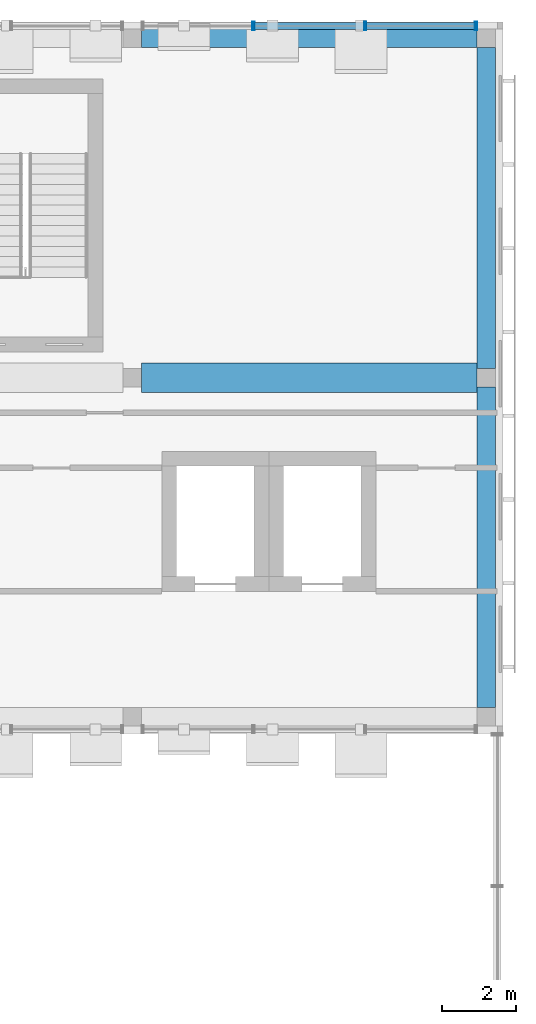
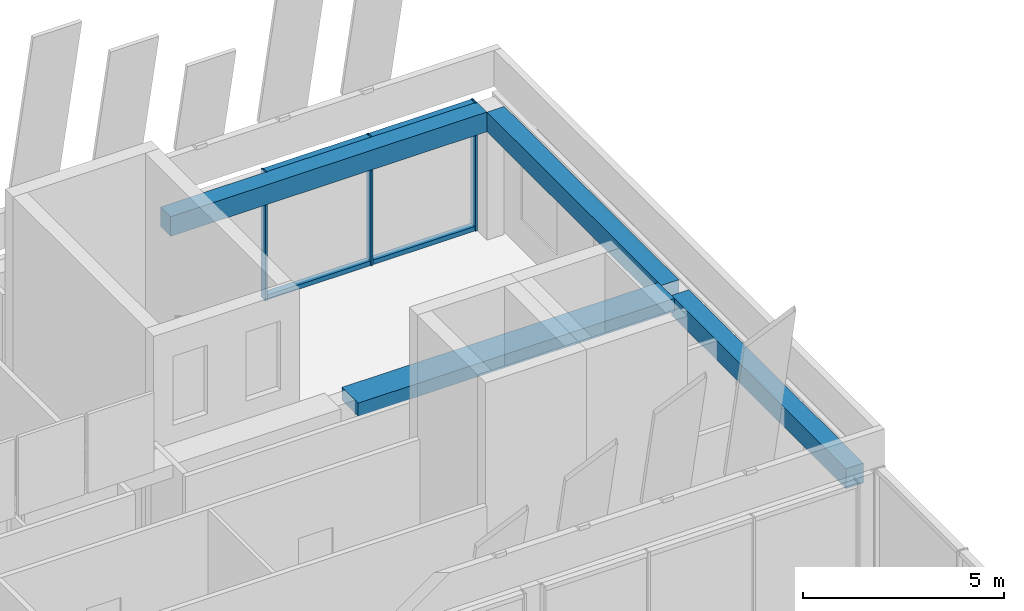
# One storey, part 14 of 26: 7 members, 4 beams, 1 element without a shape of its own.
"""IFC4 building model written with IfcOpenShell, lengths in metres."""

import ifcopenshell
import ifcopenshell.guid

model = None  # the IFC model being written
_history = None  # IfcOwnerHistory: only IFC2X3 demands one
_inside = {}  # id of a spatial element -> (the spatial element, [elements in it])
_under = {}  # id of a project, library or spatial element -> (it, [spatial elements below it])
_declared = {}  # id of a project -> (the project, [libraries it declares])
_typed = {}  # id of a type object -> (the type object, [elements of that type])
_made_of = {}  # id of a material, layer set ... -> (it, [elements and type objects made of it])


def new_model(schema):
    """Start an empty IFC model of exactly this schema.

    Asked for "IFC4X3", IfcOpenShell would pick the latest addendum, in which some entities
    have other attributes; the version numbers below select the first issue.
    IFC2X3 requires an IfcOwnerHistory on every rooted entity: one is made here for all.
    """
    global model, _history
    if schema == "IFC4X3":
        model = ifcopenshell.file(schema_version=(4, 3, 0, 0))
    else:
        model = ifcopenshell.file(schema=schema)
    _inside.clear()
    _under.clear()
    _declared.clear()
    _typed.clear()
    _made_of.clear()
    _history = None
    if model.schema == "IFC2X3":
        org = make("IfcOrganization", Name="unknown")
        user = make(
            "IfcPersonAndOrganization",
            ThePerson=make("IfcPerson", FamilyName="unknown"),
            TheOrganization=org,
        )
        app = make(
            "IfcApplication",
            ApplicationDeveloper=org,
            Version="unknown",
            ApplicationFullName="unknown",
            ApplicationIdentifier="unknown",
        )
        _history = make(
            "IfcOwnerHistory",
            OwningUser=user,
            OwningApplication=app,
            ChangeAction="ADDED",
            CreationDate=0,
        )
    return model


def make(cls, **values):
    """One entity of the class cls with the attributes given. An attribute that is None is left unset."""
    return model.create_entity(
        cls, **{name: value for name, value in values.items() if value is not None}
    )


def rooted(cls, **values):
    """An entity with a GlobalId (a new one), such as an element, a storey or a relation."""
    return make(cls, GlobalId=ifcopenshell.guid.new(), OwnerHistory=_history, **values)


def si_unit(unit_type, name, prefix=None):
    """IfcSIUnit, for example si_unit("LENGTHUNIT", "METRE", prefix="MILLI")."""
    return make("IfcSIUnit", UnitType=unit_type, Prefix=prefix, Name=name)


def assignment(units):
    """IfcUnitAssignment: the units of a project."""
    return None if units is None else make("IfcUnitAssignment", Units=units)


def point(xyz):
    """IfcCartesianPoint."""
    return None if xyz is None else make("IfcCartesianPoint", Coordinates=xyz)


def direction(xyz):
    """IfcDirection."""
    return None if xyz is None else make("IfcDirection", DirectionRatios=xyz)


def frame(location, z_axis=None, x_axis=None):
    """IfcAxis2Placement3D, a coordinate frame: its origin and axes. An axis left out is left unset."""
    return make(
        "IfcAxis2Placement3D",
        Location=point(location),
        Axis=direction(z_axis),
        RefDirection=direction(x_axis),
    )


def frame_2d(location, x_axis=None):
    """IfcAxis2Placement2D, a coordinate frame in the plane: its origin and x axis."""
    return make(
        "IfcAxis2Placement2D", Location=point(location), RefDirection=direction(x_axis)
    )


def origin():
    """The frame at (0, 0, 0) with its axes left unset."""
    return frame((0.0, 0.0, 0.0))


def origin_2d():
    """The frame at (0, 0) in the plane with its x axis left unset."""
    return frame_2d((0.0, 0.0))


def place(relative_to, where):
    """IfcLocalPlacement: puts the frame where relative to a parent placement (None: the world)."""
    return make(
        "IfcLocalPlacement", PlacementRelTo=relative_to, RelativePlacement=where
    )


def context(
    kind, dimensions, precision=None, world=None, true_north=None, identifier=None
):
    """IfcGeometricRepresentationContext, for example the 3D "Model" context."""
    return make(
        "IfcGeometricRepresentationContext",
        ContextIdentifier=identifier,
        ContextType=kind,
        CoordinateSpaceDimension=dimensions,
        Precision=precision,
        WorldCoordinateSystem=world,
        TrueNorth=true_north,
    )


def subcontext(parent, identifier, kind, view, scale=None):
    """IfcGeometricRepresentationSubContext, for example "Body" below "Model"."""
    return make(
        "IfcGeometricRepresentationSubContext",
        ContextIdentifier=identifier,
        ContextType=kind,
        ParentContext=parent,
        TargetScale=scale,
        TargetView=view,
    )


def project(units=None, contexts=None):
    """IfcProject with its units and contexts."""
    return rooted(
        "IfcProject",
        Name="project",
        RepresentationContexts=contexts,
        UnitsInContext=assignment(units),
    )


def spatial(cls, under=None, at=None, **own):
    """A site, building, storey or space (cls), placed at a placement, below another one or the project."""
    s = rooted(cls, ObjectPlacement=at, **own)
    if under is not None:
        _under.setdefault(under.id(), (under, []))[1].append(s)
    return s


def profile(cls, at=None, kind="AREA", **sizes):
    """A parametric profile (cls). Its sizes go by their IFC names, for example OverallWidth=200.0."""
    return make(cls, ProfileType=kind, Position=at, **sizes)


def rectangle(**sizes):
    """IfcRectangleProfileDef."""
    return profile("IfcRectangleProfileDef", **sizes)


def hollow_rectangle(**sizes):
    """IfcRectangleHollowProfileDef."""
    return profile("IfcRectangleHollowProfileDef", **sizes)


def extrude(swept, where, along, depth):
    """IfcExtrudedAreaSolid: the profile swept, set in the frame where, extruded along a direction by depth."""
    return make(
        "IfcExtrudedAreaSolid",
        SweptArea=swept,
        Position=where,
        ExtrudedDirection=direction(along),
        Depth=depth,
    )


def shape(context_of_items, identifier, shape_type, items):
    """IfcShapeRepresentation: the items that make up one representation, for example the "Body"."""
    return make(
        "IfcShapeRepresentation",
        ContextOfItems=context_of_items,
        RepresentationIdentifier=identifier,
        RepresentationType=shape_type,
        Items=items,
    )


def material(Name=None, Category=None):
    """IfcMaterial."""
    return make("IfcMaterial", Name=Name, Category=Category)


def layer(
    of_material, thickness, ventilated=None, Name=None, Category=None, Priority=None
):
    """IfcMaterialLayer: one layer of a wall or slab, of a material (None: an air gap)."""
    return make(
        "IfcMaterialLayer",
        Material=of_material,
        LayerThickness=thickness,
        IsVentilated=ventilated,
        Name=Name,
        Category=Category,
        Priority=Priority,
    )


def layer_set(layers, Name=None):
    """IfcMaterialLayerSet."""
    return make("IfcMaterialLayerSet", MaterialLayers=layers, LayerSetName=Name)


def material_profile(
    of_material, cross_section, Name=None, Category=None, Priority=None
):
    """IfcMaterialProfile: a cross section and its material."""
    return make(
        "IfcMaterialProfile",
        Name=Name,
        Material=of_material,
        Profile=cross_section,
        Priority=Priority,
        Category=Category,
    )


def profile_set(profiles, Name=None, composite=None):
    """IfcMaterialProfileSet."""
    return make(
        "IfcMaterialProfileSet",
        Name=Name,
        MaterialProfiles=profiles,
        CompositeProfile=composite,
    )


def made_of(thing, what):
    """Note that an element or type object is made of a material, layer set ...; save() writes the relation."""
    if what is not None:
        _made_of.setdefault(what.id(), (what, []))[1].append(thing)
    return thing


def type_object(cls, material=None, **own):
    """A type object (cls), such as IfcWallType, which elements share."""
    return made_of(rooted(cls, **own), material)


def element(
    cls,
    number,
    at=None,
    inside=None,
    cuts=None,
    type_object=None,
    material=None,
    context=None,
    identifier="Body",
    shape_type=None,
    held_by="IfcProductDefinitionShape",
    body=None,
    shapes=None,
    **own,
):
    """One element of the class cls, such as IfcWall. Its Tag is "e" and its number.

    at: its placement. inside: the storey or other place that contains it. cuts: it is an
    opening in that element (IfcRelVoidsElement). A single representation is given by context,
    identifier, shape_type and body (its items); several are given by shapes. held_by: the class
    of the entity that holds the representations. save() writes the other relations.
    """
    e = rooted(cls, Tag="e%d" % number, ObjectPlacement=at, **own)
    if body is not None:
        shapes = [shape(context, identifier, shape_type, body)]
    if shapes is not None:
        e.Representation = make(held_by, Representations=shapes)
    if inside is not None:
        _inside.setdefault(inside.id(), (inside, []))[1].append(e)
    if cuts is not None:
        rooted(
            "IfcRelVoidsElement", RelatingBuildingElement=cuts, RelatedOpeningElement=e
        )
    if type_object is not None:
        _typed.setdefault(type_object.id(), (type_object, []))[1].append(e)
    return made_of(e, material)


def aggregate(whole, parts):
    """IfcRelAggregates: a whole, such as a stair, and the parts it consists of."""
    return rooted("IfcRelAggregates", RelatingObject=whole, RelatedObjects=parts)


def save(model, path):
    """Write the relations noted so far, then the file.

    IfcRelAggregates (storeys below a building ...), IfcRelContainedInSpatialStructure (elements
    in a storey), IfcRelDefinesByType, IfcRelAssociatesMaterial and IfcRelDeclares: one each for
    every whole, place, type object, material and project.
    """
    for whole, parts in _under.values():
        aggregate(whole, parts)
    for where, things in _inside.values():
        rooted(
            "IfcRelContainedInSpatialStructure",
            RelatedElements=things,
            RelatingStructure=where,
        )
    for kind, things in _typed.values():
        rooted("IfcRelDefinesByType", RelatedObjects=things, RelatingType=kind)
    for what, things in _made_of.values():
        rooted("IfcRelAssociatesMaterial", RelatedObjects=things, RelatingMaterial=what)
    for by, libraries in _declared.values():
        rooted("IfcRelDeclares", RelatingContext=by, RelatedDefinitions=libraries)
    model.write(path)


model = new_model("IFC4")

# Units and contexts
model_context = context("Model", 3, precision=1e-05, world=origin(), true_north=direction((0.0, 1.0)))
body_context = subcontext(model_context, "Body", "Model", "MODEL_VIEW")
ifc_project = project(units=[si_unit("LENGTHUNIT", "METRE"), si_unit("AREAUNIT", "SQUARE_METRE"), si_unit("VOLUMEUNIT", "CUBIC_METRE"), si_unit("PLANEANGLEUNIT", "RADIAN"), si_unit("MASSUNIT", "GRAM", prefix="KILO")], contexts=[model_context])

# Site, building, storey
site_placement = place(None, origin())
site = spatial("IfcSite", under=ifc_project, at=site_placement, CompositionType="ELEMENT")
building_placement = place(site_placement, origin())
building = spatial("IfcBuilding", under=site, at=building_placement, Name="Nzadi Deep Aquarium and Research Tower", CompositionType="ELEMENT")
storey_placement = place(building_placement, frame((0.0, 0.0, 78.10009765625)))
storey = spatial("IfcBuildingStorey", under=building, at=storey_placement, Name="L16", CompositionType="ELEMENT", Elevation=78.10009765625)

# Curtain wall, members
ifc_material_1 = material(Name="Aluminium unitised frame deep", Category="aluminium")
ifc_layer = layer(ifc_material_1, 0.22509765625)
ifc_layer_set = layer_set([ifc_layer], Name="Aluminium unitised frame deep")
curtain_wall_type = type_object("IfcCurtainWallType", Name="Curtain wall Unitised Deep 225", PredefinedType="NOTDEFINED", material=ifc_layer_set)
curtain_wall_placement = place(storey_placement, origin())
curtain_wall = element("IfcCurtainWall", 1, at=curtain_wall_placement, inside=storey, type_object=curtain_wall_type, Name="Unitised curtain wall blade B north L16", PredefinedType="NOTDEFINED")
ifc_material_2 = material(Name="Aluminium unitised frame deep", Category="aluminium")
ifc_material_profile_1 = material_profile(ifc_material_2, hollow_rectangle(XDim=0.22509765625, YDim=0.06005859375, WallThickness=0.0048828125, at=origin_2d()))
ifc_profile_set_1 = profile_set([ifc_material_profile_1], Name="Aluminium unitised frame deep")
member_type_1 = type_object("IfcMemberType", Name="Mullion 60x225 Unitised Deep", PredefinedType="MULLION", material=ifc_profile_set_1)
member_1_placement = place(storey_placement, frame((32.083251953125, 46.33740234375, 0.0), z_axis=(0.0, 0.0, 1.0), x_axis=(0.0, 1.0, 0.0)))
member_1 = element("IfcMember", 2, at=member_1_placement, type_object=member_type_1, Name="CW199 mullion 2", PredefinedType="MULLION", context=body_context, shape_type="SweptSolid", body=[
    extrude(hollow_rectangle(XDim=0.22509765625, YDim=0.06005859375, WallThickness=0.0048828125, at=origin_2d()), origin(), (0.0, 0.0, 1.0), 3.89990234375),
])
member_2_placement = place(storey_placement, frame((35.11669921875, 46.33740234375, 0.0), z_axis=(0.0, 0.0, 1.0), x_axis=(0.0, 1.0, 0.0)))
member_2 = element("IfcMember", 3, at=member_2_placement, type_object=member_type_1, Name="CW199 mullion 3", PredefinedType="MULLION", context=body_context, shape_type="SweptSolid", body=[
    extrude(hollow_rectangle(XDim=0.22509765625, YDim=0.06005859375, WallThickness=0.0048828125, at=origin_2d()), origin(), (0.0, 0.0, 1.0), 3.89990234375),
])
member_3_placement = place(storey_placement, frame((38.1201171875, 46.33740234375, 0.0), z_axis=(0.0, 0.0, 1.0), x_axis=(0.0, 1.0, 0.0)))
member_3 = element("IfcMember", 4, at=member_3_placement, type_object=member_type_1, Name="CW199 mullion 4", PredefinedType="MULLION", context=body_context, shape_type="SweptSolid", body=[
    extrude(hollow_rectangle(XDim=0.22509765625, YDim=0.06005859375, WallThickness=0.0048828125, at=origin_2d()), origin(), (0.0, 0.0, 1.0), 3.89990234375),
])

# Beams
ifc_material_3 = material(Name="Concrete C35/45", Category="concrete")
ifc_material_profile_2 = material_profile(ifc_material_3, rectangle(XDim=0.5, YDim=0.60009765625, at=origin_2d()))
ifc_profile_set_2 = profile_set([ifc_material_profile_2], Name="Concrete C35/45")
beam_type_1 = type_object("IfcBeamType", Name="RC 500x600", PredefinedType="BEAM", material=ifc_profile_set_2)
beam_1_placement = place(storey_placement, frame((29.050048828125, 46.0, 3.599853515625), z_axis=(1.0, 0.0, 0.0), x_axis=(0.0, 1.0, 0.0)))
element("IfcBeam", 5, at=beam_1_placement, inside=storey, type_object=beam_type_1, Name="B-Z1-L16-L6-4", PredefinedType="BEAM", context=body_context, shape_type="SweptSolid", body=[
    extrude(rectangle(XDim=0.5, YDim=0.60009765625, at=origin_2d()), origin(), (0.0, 0.0, 1.0), 9.099853515625),
])
for number, where, z_axis, x_axis, name in (
    (6, (38.39990234375, 27.85009765625, 3.599853515625), (0.0, 1.0, 0.0), (-1.0, 0.0, 0.0), "B-Z1-L16-CE-1-4"),
    (7, (38.39990234375, 37.050048828125, 3.599853515625), (0.0, 1.0, 0.0), (-1.0, 0.0, 0.0), "B-Z1-L16-CE-2-4"),
):
    element("IfcBeam", number, at=place(storey_placement, frame(where, z_axis=z_axis, x_axis=x_axis)), inside=storey, type_object=beam_type_1, Name=name, PredefinedType="BEAM", context=body_context, shape_type="SweptSolid", body=[
        extrude(rectangle(XDim=0.5, YDim=0.60009765625, at=origin_2d()), origin(), (0.0, 0.0, 1.0), 8.699951171875),
    ])
ifc_material_4 = material(Name="Concrete C35/45", Category="concrete")
ifc_material_profile_3 = material_profile(ifc_material_4, rectangle(XDim=0.800048828125, YDim=0.39990234375, at=origin_2d()))
ifc_profile_set_3 = profile_set([ifc_material_profile_3], Name="Concrete C35/45")
beam_type_2 = type_object("IfcBeamType", Name="RC 800x400", PredefinedType="BEAM", material=ifc_profile_set_3)
beam_2_placement = place(storey_placement, frame((29.050048828125, 36.800048828125, 3.699951171875), z_axis=(1.0, 0.0, 0.0), x_axis=(0.0, 1.0, 0.0)))
element("IfcBeam", 8, at=beam_2_placement, inside=storey, type_object=beam_type_2, Name="B-Z1-L16-L5-4", PredefinedType="BEAM", context=body_context, shape_type="SweptSolid", body=[
    extrude(rectangle(XDim=0.800048828125, YDim=0.39990234375, at=origin_2d()), origin(), (0.0, 0.0, 1.0), 9.099853515625),
])

# Member
ifc_material_5 = material(Name="Aluminium unitised frame deep", Category="aluminium")
ifc_material_profile_4 = material_profile(ifc_material_5, hollow_rectangle(XDim=0.179931640625, YDim=0.139892578125, WallThickness=0.0048828125, at=origin_2d()))
ifc_profile_set_4 = profile_set([ifc_material_profile_4], Name="Aluminium unitised frame deep")
member_type_2 = type_object("IfcMemberType", Name="Transom 140x180 Unitised Deep", PredefinedType="MULLION", material=ifc_profile_set_4)
member_4_placement = place(storey_placement, frame((32.11328125, 46.33740234375, 0.06982421875), z_axis=(1.0, 0.0, 0.0), x_axis=(0.0, 1.0, 0.0)))
member_4 = element("IfcMember", 9, at=member_4_placement, type_object=member_type_2, Name="CW199 transom 2.1", PredefinedType="MULLION", context=body_context, shape_type="SweptSolid", body=[
    extrude(hollow_rectangle(XDim=0.179931640625, YDim=0.139892578125, WallThickness=0.0048828125, at=origin_2d()), origin(), (0.0, 0.0, 1.0), 2.973388671875),
])

member_5_placement = place(storey_placement, frame((32.11328125, 46.33740234375, 3.829833984375), z_axis=(1.0, 0.0, 0.0), x_axis=(0.0, 1.0, 0.0)))
member_5 = element("IfcMember", 10, at=member_5_placement, type_object=member_type_2, Name="CW199 transom 2.2", PredefinedType="MULLION", context=body_context, shape_type="SweptSolid", body=[
    extrude(hollow_rectangle(XDim=0.179931640625, YDim=0.139892578125, WallThickness=0.0048828125, at=origin_2d()), origin(), (0.0, 0.0, 1.0), 2.973388671875),
])

member_6_placement = place(storey_placement, frame((35.146728515625, 46.33740234375, 0.06982421875), z_axis=(1.0, 0.0, 0.0), x_axis=(0.0, 1.0, 0.0)))
member_6 = element("IfcMember", 11, at=member_6_placement, type_object=member_type_2, Name="CW199 transom 3.1", PredefinedType="MULLION", context=body_context, shape_type="SweptSolid", body=[
    extrude(hollow_rectangle(XDim=0.179931640625, YDim=0.139892578125, WallThickness=0.0048828125, at=origin_2d()), origin(), (0.0, 0.0, 1.0), 2.943359375),
])

member_7_placement = place(storey_placement, frame((35.146728515625, 46.33740234375, 3.829833984375), z_axis=(1.0, 0.0, 0.0), x_axis=(0.0, 1.0, 0.0)))
member_7 = element("IfcMember", 12, at=member_7_placement, type_object=member_type_2, Name="CW199 transom 3.2", PredefinedType="MULLION", context=body_context, shape_type="SweptSolid", body=[
    extrude(hollow_rectangle(XDim=0.179931640625, YDim=0.139892578125, WallThickness=0.0048828125, at=origin_2d()), origin(), (0.0, 0.0, 1.0), 2.943359375),
])

aggregate(curtain_wall, [member_1, member_2, member_3, member_4, member_5, member_6, member_7])

save(model, "model.ifc")
